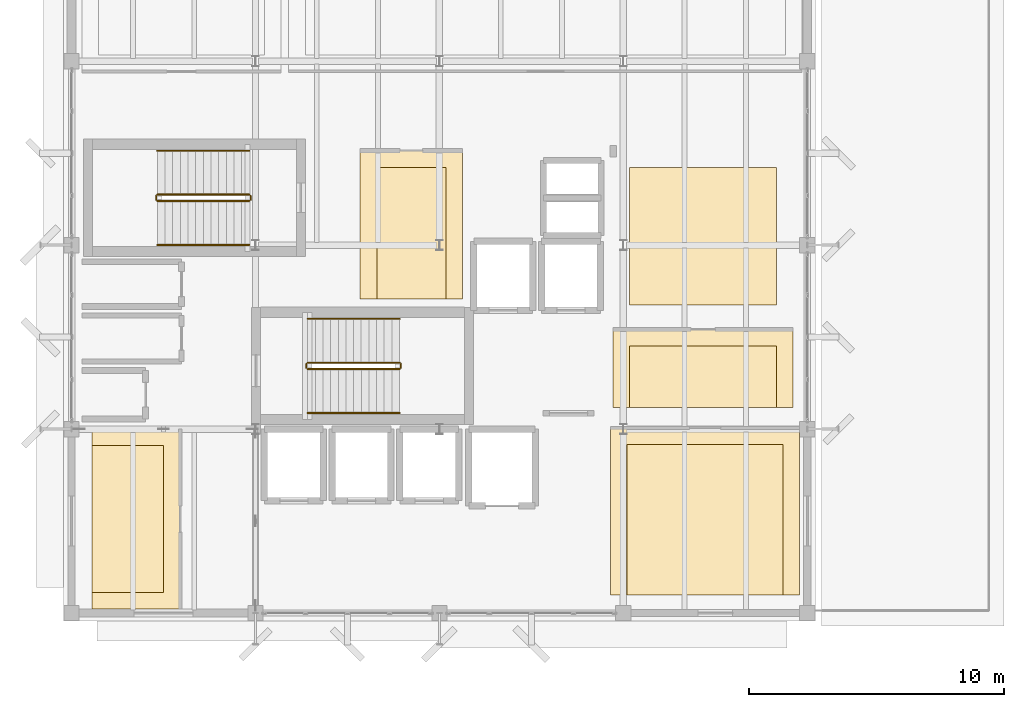
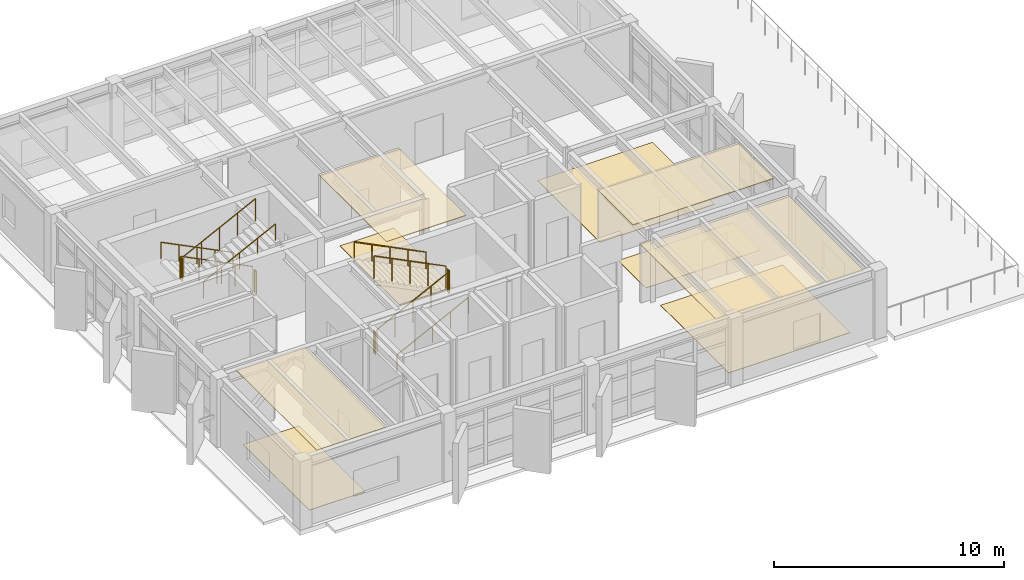
# One storey, part 18 of 19: 12 railings, 9 coverings.
"""IFC4 building model written with IfcOpenShell, lengths in metres."""

from ifc_helpers import new_model, si_unit, direction, frame, origin, origin_2d, place, context, subcontext, project, spatial, polyline, circle, outline, extrude, material, layer, layer_set, type_object, element, save


model = new_model("IFC4")

# Units and contexts
model_context = context("Model", 3, precision=1e-05, world=origin(), true_north=direction((0.0, 1.0)))
body_context = subcontext(model_context, "Body", "Model", "MODEL_VIEW")
ifc_project = project(units=[si_unit("LENGTHUNIT", "METRE"), si_unit("AREAUNIT", "SQUARE_METRE"), si_unit("VOLUMEUNIT", "CUBIC_METRE"), si_unit("PLANEANGLEUNIT", "RADIAN"), si_unit("MASSUNIT", "GRAM", prefix="KILO")], contexts=[model_context])

# Site, building, storey
site_placement = place(None, origin())
site = spatial("IfcSite", under=ifc_project, at=site_placement, CompositionType="ELEMENT")
building_placement = place(site_placement, origin())
building = spatial("IfcBuilding", under=site, at=building_placement, Name="Kandorven Conservatory and Botanical Research Centre", CompositionType="ELEMENT")
storey_placement = place(building_placement, frame((0.0, 0.0, 28.800048828125)))
storey = spatial("IfcBuildingStorey", under=building, at=storey_placement, Name="L07", CompositionType="ELEMENT", Elevation=28.800048828125)

# Coverings
ifc_material_1 = material(Name="Perforated mineral-fibre acoustic ceiling tile", Category="gypsum")
ifc_layer_1 = layer(ifc_material_1, 0.0400390625)
ifc_layer_set_1 = layer_set([ifc_layer_1], Name="Perforated mineral-fibre acoustic ceiling tile")
covering_type_1 = type_object("IfcCoveringType", Name="Cov_Ceiling_1", PredefinedType="CEILING", material=ifc_layer_set_1)
covering_1_placement = place(storey_placement, frame((0.0, 0.0, 3.56005859375)))
element("IfcCovering", 1, at=covering_1_placement, inside=storey, type_object=covering_type_1, Name="Suspended acoustic ceiling CLG-01 (Botanical Specimen Preparation Laboratory L07)", PredefinedType="CEILING", context=body_context, shape_type="SweptSolid", body=[
    extrude(outline(polyline([(17.300048828125, 18.300048828125), (21.300048828125, 18.300048828125), (21.300048828125, 24.10009765625), (17.300048828125, 24.10009765625), (17.300048828125, 18.300048828125)])), origin(), (0.0, 0.0, 1.0), 0.039794921875),
])
covering_2_placement = place(storey_placement, frame((0.0, 0.0, 3.56005859375)))
element("IfcCovering", 2, at=covering_2_placement, inside=storey, type_object=covering_type_1, Name="Suspended acoustic ceiling CLG-01 (Flora Taxonomy Microscopy Laboratory L07)", PredefinedType="CEILING", context=body_context, shape_type="SweptSolid", body=[
    extrude(outline(polyline([(27.199951171875, 14.050048828125), (34.25, 14.050048828125), (34.25, 17.10009765625), (27.199951171875, 17.10009765625), (27.199951171875, 14.050048828125)])), origin(), (0.0, 0.0, 1.0), 0.039794921875),
])
covering_3_placement = place(storey_placement, frame((0.0, 0.0, 3.56005859375)))
element("IfcCovering", 3, at=covering_3_placement, inside=storey, type_object=covering_type_1, Name="Suspended acoustic ceiling CLG-01 (Botanical Chemotaxonomy Research Laboratory L07)", PredefinedType="CEILING", context=body_context, shape_type="SweptSolid", body=[
    extrude(outline(polyline([(6.800048828125, 6.14990234375), (10.25, 6.14990234375), (10.25, 13.199951171875), (6.800048828125, 13.199951171875), (6.800048828125, 6.14990234375)])), origin(), (0.0, 0.0, 1.0), 0.039794921875),
])
covering_4_placement = place(storey_placement, frame((0.0, 0.0, 3.070068359375)))
element("IfcCovering", 4, at=covering_4_placement, inside=storey, type_object=covering_type_1, Name="Suspended acoustic ceiling CLG-01 (Specimen Preparation Research Laboratory L07)", PredefinedType="CEILING", context=body_context, shape_type="SweptSolid", body=[
    extrude(outline(polyline([(27.10009765625, 6.699951171875), (34.5, 6.699951171875), (34.5, 13.25), (27.10009765625, 13.25), (27.10009765625, 6.699951171875)])), origin(), (0.0, 0.0, 1.0), 0.039794921875),
])
ifc_material_2 = material(Name="Honed Kota stone and epoxy laboratory flooring", Category="masonry")
ifc_layer_2 = layer(ifc_material_2, 0.02490234375)
ifc_layer_set_2 = layer_set([ifc_layer_2], Name="Honed Kota stone and epoxy laboratory flooring")
covering_type_2 = type_object("IfcCoveringType", Name="Cov_Flooring_1", PredefinedType="FLOORING", material=ifc_layer_set_2)
covering_5_placement = place(storey_placement, origin())
element("IfcCovering", 5, at=covering_5_placement, inside=storey, type_object=covering_type_2, Name="Floor finish FLR-01 (Botanical Specimen Preparation Laboratory L07)", PredefinedType="FLOORING", context=body_context, shape_type="SweptSolid", body=[
    extrude(outline(polyline([(17.949951171875, 18.300048828125), (20.64990234375, 18.300048828125), (20.64990234375, 23.449951171875), (17.949951171875, 23.449951171875), (17.949951171875, 18.300048828125)])), origin(), (0.0, 0.0, 1.0), 0.02490234375),
])
covering_6_placement = place(storey_placement, origin())
element("IfcCovering", 6, at=covering_6_placement, inside=storey, type_object=covering_type_2, Name="Floor finish FLR-01 (Flora Taxonomy Microscopy Laboratory L07)", PredefinedType="FLOORING", context=body_context, shape_type="SweptSolid", body=[
    extrude(outline(polyline([(27.85009765625, 14.050048828125), (33.60009765625, 14.050048828125), (33.60009765625, 16.449951171875), (27.85009765625, 16.449951171875), (27.85009765625, 14.050048828125)])), origin(), (0.0, 0.0, 1.0), 0.02490234375),
])
covering_7_placement = place(storey_placement, origin())
element("IfcCovering", 7, at=covering_7_placement, inside=storey, type_object=covering_type_2, Name="Floor finish FLR-01 (Botanical Chemotaxonomy Research Laboratory L07)", PredefinedType="FLOORING", context=body_context, shape_type="SweptSolid", body=[
    extrude(outline(polyline([(6.800048828125, 6.800048828125), (9.60009765625, 6.800048828125), (9.60009765625, 12.550048828125), (6.800048828125, 12.550048828125), (6.800048828125, 6.800048828125)])), origin(), (0.0, 0.0, 1.0), 0.02490234375),
])
covering_8_placement = place(storey_placement, origin())
element("IfcCovering", 8, at=covering_8_placement, inside=storey, type_object=covering_type_2, Name="Floor finish FLR-01 (Specimen Preparation Research Laboratory L07)", PredefinedType="FLOORING", context=body_context, shape_type="SweptSolid", body=[
    extrude(outline(polyline([(27.75, 6.699951171875), (33.85009765625, 6.699951171875), (33.85009765625, 12.60009765625), (27.75, 12.60009765625), (27.75, 6.699951171875)])), origin(), (0.0, 0.0, 1.0), 0.02490234375),
])
covering_9_placement = place(storey_placement, origin())
element("IfcCovering", 9, at=covering_9_placement, inside=storey, type_object=covering_type_2, Name="Floor finish FLR-01 (Mid-Tower Mechanical and Desiccant Plant Room L07)", PredefinedType="FLOORING", context=body_context, shape_type="SweptSolid", body=[
    extrude(outline(polyline([(27.85009765625, 18.050048828125), (33.60009765625, 18.050048828125), (33.60009765625, 23.449951171875), (27.85009765625, 23.449951171875), (27.85009765625, 18.050048828125)])), origin(), (0.0, 0.0, 1.0), 0.02490234375),
])

# Railings
ifc_material_3 = material(Name="Steel S355 (IS 2062 E350)", Category="steel")
railing_type_1 = type_object("IfcRailingType", Name="StairGuard_1150", PredefinedType="BALUSTRADE", material=ifc_material_3)
railing_1_placement = place(storey_placement, frame((15.239990234375, 15.550048828125, 0.14990234375)))
element("IfcRailing", 10, at=railing_1_placement, inside=storey, type_object=railing_type_1, Name="L07 ST-T1 stair guard 1", PredefinedType="BALUSTRADE", context=body_context, shape_type="SweptSolid", body=[
    extrude(circle(Radius=0.02392578125, at=origin_2d()), frame((0.0, 0.0, 1.17578125), z_axis=(0.894427191, 0.0, 0.4472135955), x_axis=(0.0, 1.0, 0.0)), (0.0, 0.0, 1.0), 4.025146484375),
    extrude(circle(Radius=0.02099609375, at=origin_2d()), origin(), (0.0, 0.0, 1.0), 1.15185546875),
    extrude(circle(Radius=0.02099609375, at=origin_2d()), frame((0.89990234375, 0.0, 0.449951171875)), (0.0, 0.0, 1.0), 1.15185546875),
    extrude(circle(Radius=0.02099609375, at=origin_2d()), frame((1.800048828125, 0.0, 0.89990234375)), (0.0, 0.0, 1.0), 1.15185546875),
    extrude(circle(Radius=0.02099609375, at=origin_2d()), frame((2.7001953125, 0.0, 1.35009765625)), (0.0, 0.0, 1.0), 1.15185546875),
    extrude(circle(Radius=0.02099609375, at=origin_2d()), frame((3.60009765625, 0.0, 1.800048828125)), (0.0, 0.0, 1.0), 1.15185546875),
])
railing_2_placement = place(storey_placement, frame((18.889892578125, 15.60009765625, 1.949951171875)))
element("IfcRailing", 11, at=railing_2_placement, inside=storey, type_object=railing_type_1, Name="L07 ST-T1 stair guard 2", PredefinedType="BALUSTRADE", context=body_context, shape_type="SweptSolid", body=[
    extrude(circle(Radius=0.02392578125, at=origin_2d()), frame((0.0, 0.0, 1.17578125), z_axis=(0.0, 1.0, 0.0), x_axis=(-1.0, 0.0, 0.0)), (0.0, 0.0, 1.0), 0.14990234375),
    extrude(circle(Radius=0.02099609375, at=origin_2d()), origin(), (0.0, 0.0, 1.0), 1.15185546875),
    extrude(circle(Radius=0.02099609375, at=origin_2d()), frame((0.0, 0.14990234375, 0.0)), (0.0, 0.0, 1.0), 1.15185546875),
])
railing_3_placement = place(storey_placement, frame((18.840087890625, 15.800048828125, 2.099853515625)))
element("IfcRailing", 12, at=railing_3_placement, inside=storey, type_object=railing_type_1, Name="L07 ST-T1 stair guard 3", PredefinedType="BALUSTRADE", context=body_context, shape_type="SweptSolid", body=[
    extrude(circle(Radius=0.02392578125, at=origin_2d()), frame((0.0, 0.0, 1.17578125), z_axis=(-0.894427191, 0.0, 0.4472135955), x_axis=(0.0, -1.0, 0.0)), (0.0, 0.0, 1.0), 4.025146484375),
    extrude(circle(Radius=0.02099609375, at=origin_2d()), origin(), (0.0, 0.0, 1.0), 1.15185546875),
    extrude(circle(Radius=0.02099609375, at=origin_2d()), frame((-0.89990234375, 0.0, 0.449951171875)), (0.0, 0.0, 1.0), 1.15185546875),
    extrude(circle(Radius=0.02099609375, at=origin_2d()), frame((-1.800048828125, 0.0, 0.89990234375)), (0.0, 0.0, 1.0), 1.15185546875),
    extrude(circle(Radius=0.02099609375, at=origin_2d()), frame((-2.7001953125, 0.0, 1.35009765625)), (0.0, 0.0, 1.0), 1.15185546875),
    extrude(circle(Radius=0.02099609375, at=origin_2d()), frame((-3.60009765625, 0.0, 1.800048828125)), (0.0, 0.0, 1.0), 1.15185546875),
])
railing_4_placement = place(storey_placement, frame((15.18994140625, 15.60009765625, 0.0)))
element("IfcRailing", 13, at=railing_4_placement, inside=storey, type_object=railing_type_1, Name="L07 ST-T1 stair guard 4", PredefinedType="BALUSTRADE", context=body_context, shape_type="SweptSolid", body=[
    extrude(circle(Radius=0.02392578125, at=origin_2d()), frame((0.0, 0.0, 1.17578125), z_axis=(0.0, 1.0, 0.0), x_axis=(-1.0, 0.0, 0.0)), (0.0, 0.0, 1.0), 0.14990234375),
    extrude(circle(Radius=0.02099609375, at=origin_2d()), origin(), (0.0, 0.0, 1.0), 1.15185546875),
    extrude(circle(Radius=0.02099609375, at=origin_2d()), frame((0.0, 0.14990234375, 0.0)), (0.0, 0.0, 1.0), 1.15185546875),
])
railing_5_placement = place(storey_placement, frame((12.9599609375, 22.3798828125, 0.14990234375)))
element("IfcRailing", 14, at=railing_5_placement, inside=storey, type_object=railing_type_1, Name="L07 ST-T2 stair guard 1", PredefinedType="BALUSTRADE", context=body_context, shape_type="SweptSolid", body=[
    extrude(circle(Radius=0.02392578125, at=origin_2d()), frame((0.0, 0.0, 1.17578125), z_axis=(-0.894415058897, 0.0, 0.447237858884), x_axis=(0.0, -1.0, 0.0)), (0.0, 0.0, 1.0), 4.02490234375),
    extrude(circle(Radius=0.02099609375, at=origin_2d()), origin(), (0.0, 0.0, 1.0), 1.15185546875),
    extrude(circle(Radius=0.02099609375, at=origin_2d()), frame((-0.89990234375, 0.0, 0.449951171875)), (0.0, 0.0, 1.0), 1.15185546875),
    extrude(circle(Radius=0.02099609375, at=origin_2d()), frame((-1.7998046875, 0.0, 0.89990234375)), (0.0, 0.0, 1.0), 1.15185546875),
    extrude(circle(Radius=0.02099609375, at=origin_2d()), frame((-2.699951171875, 0.0, 1.35009765625)), (0.0, 0.0, 1.0), 1.15185546875),
    extrude(circle(Radius=0.02099609375, at=origin_2d()), frame((-3.599853515625, 0.0, 1.800048828125)), (0.0, 0.0, 1.0), 1.15185546875),
])
railing_6_placement = place(storey_placement, frame((9.31005859375, 22.330078125, 1.949951171875)))
element("IfcRailing", 15, at=railing_6_placement, inside=storey, type_object=railing_type_1, Name="L07 ST-T2 stair guard 2", PredefinedType="BALUSTRADE", context=body_context, shape_type="SweptSolid", body=[
    extrude(circle(Radius=0.02392578125, at=origin_2d()), frame((0.0, 0.0, 1.17578125), z_axis=(0.0, -1.0, 0.0), x_axis=(1.0, 0.0, 0.0)), (0.0, 0.0, 1.0), 0.150146484375),
    extrude(circle(Radius=0.02099609375, at=origin_2d()), origin(), (0.0, 0.0, 1.0), 1.15185546875),
    extrude(circle(Radius=0.02099609375, at=origin_2d()), frame((0.0, -0.150146484375, 0.0)), (0.0, 0.0, 1.0), 1.15185546875),
])
railing_7_placement = place(storey_placement, frame((9.360107421875, 22.1298828125, 2.099853515625)))
element("IfcRailing", 16, at=railing_7_placement, inside=storey, type_object=railing_type_1, Name="L07 ST-T2 stair guard 3", PredefinedType="BALUSTRADE", context=body_context, shape_type="SweptSolid", body=[
    extrude(circle(Radius=0.02392578125, at=origin_2d()), frame((0.0, 0.0, 1.17578125), z_axis=(0.894415058897, 0.0, 0.447237858884), x_axis=(0.0, 1.0, 0.0)), (0.0, 0.0, 1.0), 4.02490234375),
    extrude(circle(Radius=0.02099609375, at=origin_2d()), origin(), (0.0, 0.0, 1.0), 1.15185546875),
    extrude(circle(Radius=0.02099609375, at=origin_2d()), frame((0.89990234375, 0.0, 0.449951171875)), (0.0, 0.0, 1.0), 1.15185546875),
    extrude(circle(Radius=0.02099609375, at=origin_2d()), frame((1.7998046875, 0.0, 0.89990234375)), (0.0, 0.0, 1.0), 1.15185546875),
    extrude(circle(Radius=0.02099609375, at=origin_2d()), frame((2.699951171875, 0.0, 1.35009765625)), (0.0, 0.0, 1.0), 1.15185546875),
    extrude(circle(Radius=0.02099609375, at=origin_2d()), frame((3.599853515625, 0.0, 1.800048828125)), (0.0, 0.0, 1.0), 1.15185546875),
])
railing_8_placement = place(storey_placement, frame((13.010009765625, 22.330078125, 0.0)))
element("IfcRailing", 17, at=railing_8_placement, inside=storey, type_object=railing_type_1, Name="L07 ST-T2 stair guard 4", PredefinedType="BALUSTRADE", context=body_context, shape_type="SweptSolid", body=[
    extrude(circle(Radius=0.02392578125, at=origin_2d()), frame((0.0, 0.0, 1.17578125), z_axis=(0.0, -1.0, 0.0), x_axis=(1.0, 0.0, 0.0)), (0.0, 0.0, 1.0), 0.150146484375),
    extrude(circle(Radius=0.02099609375, at=origin_2d()), origin(), (0.0, 0.0, 1.0), 1.15185546875),
    extrude(circle(Radius=0.02099609375, at=origin_2d()), frame((0.0, -0.150146484375, 0.0)), (0.0, 0.0, 1.0), 1.15185546875),
])
ifc_material_4 = material(Name="Steel S355 (IS 2062 E350)", Category="steel")
railing_type_2 = type_object("IfcRailingType", Name="StairHandrail_900", PredefinedType="HANDRAIL", material=ifc_material_4)
railing_9_placement = place(storey_placement, frame((15.239990234375, 13.830078125, 0.14990234375)))
element("IfcRailing", 18, at=railing_9_placement, inside=storey, type_object=railing_type_2, Name="L07 ST-T1 stair handrail 1", PredefinedType="HANDRAIL", context=body_context, shape_type="SweptSolid", body=[
    extrude(circle(Radius=0.02392578125, at=origin_2d()), frame((0.0, 0.0, 0.8759765625), z_axis=(0.894427191, 0.0, 0.4472135955), x_axis=(0.0, 1.0, 0.0)), (0.0, 0.0, 1.0), 4.025146484375),
    extrude(circle(Radius=0.02099609375, at=origin_2d()), origin(), (0.0, 0.0, 1.0), 0.851806640625),
    extrude(circle(Radius=0.02099609375, at=origin_2d()), frame((0.89990234375, 0.0, 0.449951171875)), (0.0, 0.0, 1.0), 0.851806640625),
    extrude(circle(Radius=0.02099609375, at=origin_2d()), frame((1.800048828125, 0.0, 0.89990234375)), (0.0, 0.0, 1.0), 0.851806640625),
    extrude(circle(Radius=0.02099609375, at=origin_2d()), frame((2.7001953125, 0.0, 1.35009765625)), (0.0, 0.0, 1.0), 0.851806640625),
    extrude(circle(Radius=0.02099609375, at=origin_2d()), frame((3.60009765625, 0.0, 1.800048828125)), (0.0, 0.0, 1.0), 0.851806640625),
])
railing_10_placement = place(storey_placement, frame((18.840087890625, 17.52001953125, 2.099853515625)))
element("IfcRailing", 19, at=railing_10_placement, inside=storey, type_object=railing_type_2, Name="L07 ST-T1 stair handrail 2", PredefinedType="HANDRAIL", context=body_context, shape_type="SweptSolid", body=[
    extrude(circle(Radius=0.02392578125, at=origin_2d()), frame((0.0, 0.0, 0.8759765625), z_axis=(-0.894427191, 0.0, 0.4472135955), x_axis=(0.0, -1.0, 0.0)), (0.0, 0.0, 1.0), 4.025146484375),
    extrude(circle(Radius=0.02099609375, at=origin_2d()), origin(), (0.0, 0.0, 1.0), 0.851806640625),
    extrude(circle(Radius=0.02099609375, at=origin_2d()), frame((-0.89990234375, 0.0, 0.449951171875)), (0.0, 0.0, 1.0), 0.851806640625),
    extrude(circle(Radius=0.02099609375, at=origin_2d()), frame((-1.800048828125, 0.0, 0.89990234375)), (0.0, 0.0, 1.0), 0.851806640625),
    extrude(circle(Radius=0.02099609375, at=origin_2d()), frame((-2.7001953125, 0.0, 1.35009765625)), (0.0, 0.0, 1.0), 0.851806640625),
    extrude(circle(Radius=0.02099609375, at=origin_2d()), frame((-3.60009765625, 0.0, 1.800048828125)), (0.0, 0.0, 1.0), 0.851806640625),
])
railing_11_placement = place(storey_placement, frame((12.9599609375, 24.10009765625, 0.14990234375)))
element("IfcRailing", 20, at=railing_11_placement, inside=storey, type_object=railing_type_2, Name="L07 ST-T2 stair handrail 1", PredefinedType="HANDRAIL", context=body_context, shape_type="SweptSolid", body=[
    extrude(circle(Radius=0.02392578125, at=origin_2d()), frame((0.0, 0.0, 0.8759765625), z_axis=(-0.894415058897, 0.0, 0.447237858884), x_axis=(0.0, -1.0, 0.0)), (0.0, 0.0, 1.0), 4.02490234375),
    extrude(circle(Radius=0.02099609375, at=origin_2d()), origin(), (0.0, 0.0, 1.0), 0.851806640625),
    extrude(circle(Radius=0.02099609375, at=origin_2d()), frame((-0.89990234375, 0.0, 0.449951171875)), (0.0, 0.0, 1.0), 0.851806640625),
    extrude(circle(Radius=0.02099609375, at=origin_2d()), frame((-1.7998046875, 0.0, 0.89990234375)), (0.0, 0.0, 1.0), 0.851806640625),
    extrude(circle(Radius=0.02099609375, at=origin_2d()), frame((-2.699951171875, 0.0, 1.35009765625)), (0.0, 0.0, 1.0), 0.851806640625),
    extrude(circle(Radius=0.02099609375, at=origin_2d()), frame((-3.599853515625, 0.0, 1.800048828125)), (0.0, 0.0, 1.0), 0.851806640625),
])
railing_12_placement = place(storey_placement, frame((9.360107421875, 20.409912109375, 2.099853515625)))
element("IfcRailing", 21, at=railing_12_placement, inside=storey, type_object=railing_type_2, Name="L07 ST-T2 stair handrail 2", PredefinedType="HANDRAIL", context=body_context, shape_type="SweptSolid", body=[
    extrude(circle(Radius=0.02392578125, at=origin_2d()), frame((0.0, 0.0, 0.8759765625), z_axis=(0.894415058897, 0.0, 0.447237858884), x_axis=(0.0, 1.0, 0.0)), (0.0, 0.0, 1.0), 4.02490234375),
    extrude(circle(Radius=0.02099609375, at=origin_2d()), origin(), (0.0, 0.0, 1.0), 0.851806640625),
    extrude(circle(Radius=0.02099609375, at=origin_2d()), frame((0.89990234375, 0.0, 0.449951171875)), (0.0, 0.0, 1.0), 0.851806640625),
    extrude(circle(Radius=0.02099609375, at=origin_2d()), frame((1.7998046875, 0.0, 0.89990234375)), (0.0, 0.0, 1.0), 0.851806640625),
    extrude(circle(Radius=0.02099609375, at=origin_2d()), frame((2.699951171875, 0.0, 1.35009765625)), (0.0, 0.0, 1.0), 0.851806640625),
    extrude(circle(Radius=0.02099609375, at=origin_2d()), frame((3.599853515625, 0.0, 1.800048828125)), (0.0, 0.0, 1.0), 0.851806640625),
])

save(model, "model.ifc")
